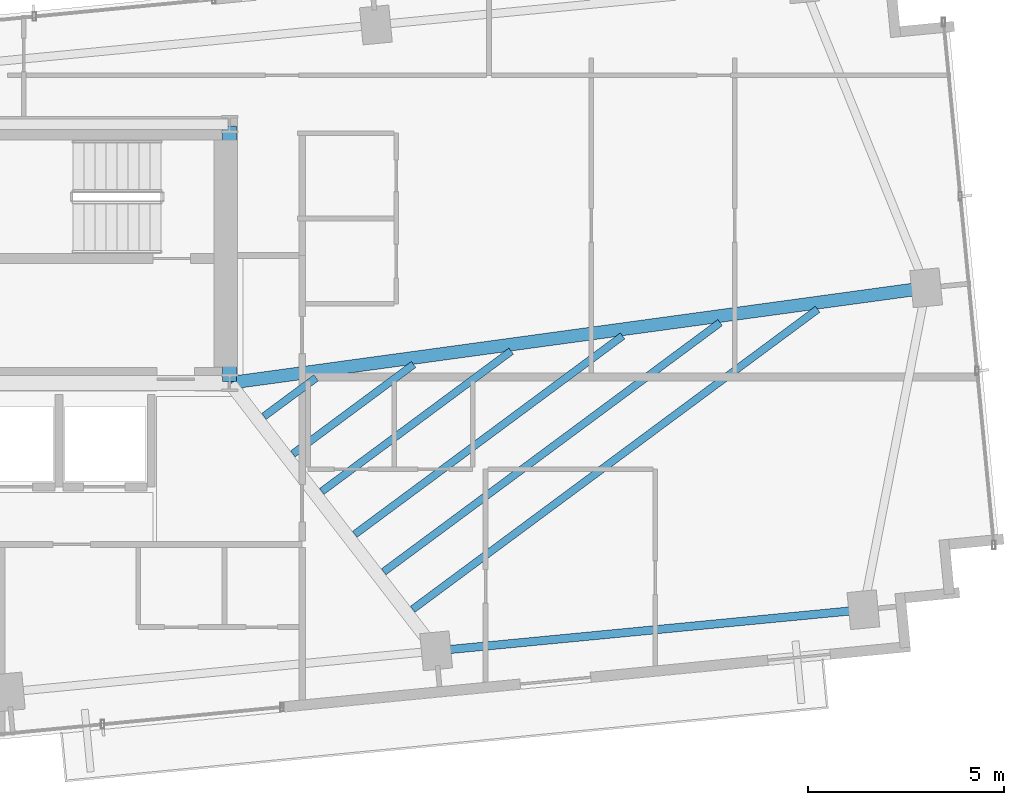
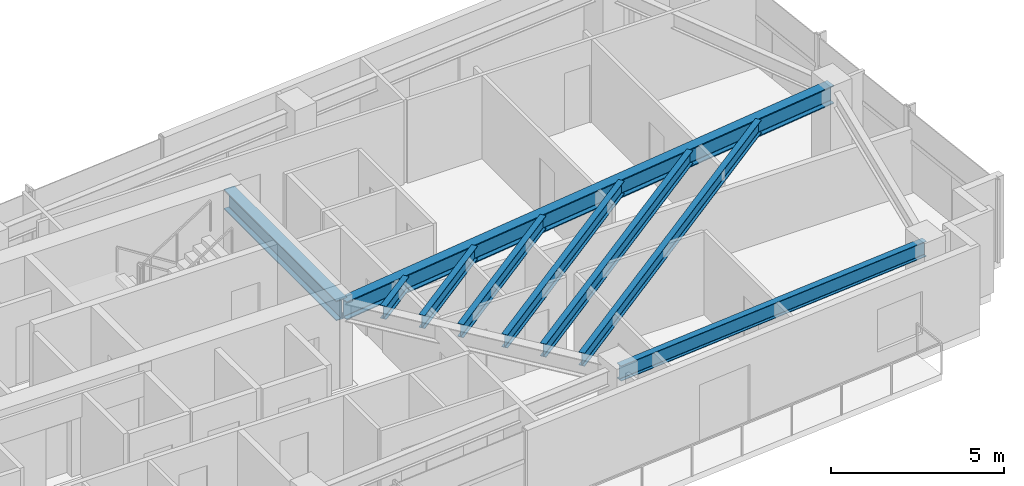
# One storey, part 9 of 18: 9 beams.
"""IFC4 building model written with IfcOpenShell, lengths in metres."""

from ifc_helpers import new_model, si_unit, direction, frame, origin, origin_2d, place, context, subcontext, project, spatial, i_section, extrude, source, transform, mapped, material, material_profile, profile_set, type_object, type_shapes, element, save


model = new_model("IFC4")

# Units and contexts
model_context = context("Model", 3, precision=1e-05, world=origin(), true_north=direction((0.0, 1.0)))
body_context = subcontext(model_context, "Body", "Model", "MODEL_VIEW")
ifc_project = project(units=[si_unit("LENGTHUNIT", "METRE"), si_unit("AREAUNIT", "SQUARE_METRE"), si_unit("VOLUMEUNIT", "CUBIC_METRE"), si_unit("PLANEANGLEUNIT", "RADIAN"), si_unit("MASSUNIT", "GRAM", prefix="KILO")], contexts=[model_context])

# Site, building, storey
site_placement = place(None, origin())
site = spatial("IfcSite", under=ifc_project, at=site_placement, CompositionType="ELEMENT")
building_placement = place(site_placement, origin())
building = spatial("IfcBuilding", under=site, at=building_placement, Name="Astriad Promenade Condominiums", CompositionType="ELEMENT")
storey_placement = place(building_placement, frame((0.0, 0.0, 192.199951171875)))
storey = spatial("IfcBuildingStorey", under=building, at=storey_placement, Name="L55", CompositionType="ELEMENT", Elevation=192.199951171875)

# Beams
ifc_material = material(Name="Steel ASTM A992 Grade 50", Category="steel")
ifc_material_profile_1 = material_profile(ifc_material, i_section(OverallWidth=0.35791015625, OverallDepth=0.706298828125, WebThickness=0.018310546875, FlangeThickness=0.0302734375, FilletRadius=0.020263671875, at=origin_2d()), Name="W27X178")
ifc_profile_set_1 = profile_set([ifc_material_profile_1], Name="Steel ASTM A992 Grade 50")
beam_type_1 = type_object("IfcBeamType", Name="STEEL FLOOR GIRDER W27X178", PredefinedType="BEAM", material=ifc_profile_set_1)
shared_shape_1 = source(origin(), body_context, "Body", "SweptSolid", [
    extrude(i_section(OverallWidth=0.35791015625, OverallDepth=0.706298828125, WebThickness=0.018310546875, FlangeThickness=0.0302734375, FilletRadius=0.020263671875, at=origin_2d()), origin(), (0.0, 0.0, 1.0), 6.52001953125),
])
type_shapes(beam_type_1, [shared_shape_1])
beam_1_placement = place(storey_placement, frame((45.60009765625, 17.43994140625, 2.5869140625), z_axis=(0.0, 1.0, 0.0), x_axis=(-1.0, 0.0, 0.0)))
element("IfcBeam", 1, at=beam_1_placement, inside=storey, type_object=beam_type_1, Name="Core Ring Beam CG-E1-L55", PredefinedType="BEAM", context=body_context, shape_type="MappedRepresentation", body=[
    mapped(shared_shape_1, transform((0.0, 0.0, 0.0), scale=1.0)),
])
ifc_material_profile_2 = material_profile(ifc_material, i_section(OverallWidth=0.210693359375, OverallDepth=0.53955078125, WebThickness=0.01171875, FlangeThickness=0.018798828125, FilletRadius=0.0166015625, at=origin_2d()), Name="W21X73")
ifc_profile_set_2 = profile_set([ifc_material_profile_2], Name="Steel ASTM A992 Grade 50")
beam_type_2 = type_object("IfcBeamType", Name="STEEL SPANDREL BEAM W21X73", PredefinedType="SPANDREL", material=ifc_profile_set_2)
shared_shape_2 = source(origin(), body_context, "Body", "SweptSolid", [
    extrude(i_section(OverallWidth=0.210693359375, OverallDepth=0.53955078125, WebThickness=0.01171875, FlangeThickness=0.018798828125, FilletRadius=0.0166015625, at=origin_2d()), origin(), (0.0, 0.0, 1.0), 10.869873046875),
])
type_shapes(beam_type_2, [shared_shape_2])
beam_2_placement = place(storey_placement, frame((50.908203125, 10.5703125, 2.670166015625), z_axis=(0.995396922692, 0.095838229819, 0.0), x_axis=(-0.095838229819, 0.995396922692, 0.0)))
element("IfcBeam", 2, at=beam_2_placement, inside=storey, type_object=beam_type_2, Name="Perimeter Spandrel Beam SP-S4-L55", PredefinedType="SPANDREL", context=body_context, shape_type="MappedRepresentation", body=[
    mapped(shared_shape_2, transform((0.0, 0.0, 0.0), scale=1.0)),
])
ifc_material_profile_3 = material_profile(ifc_material, i_section(OverallWidth=0.327392578125, OverallDepth=0.640625, WebThickness=0.01904296875, FlangeThickness=0.033935546875, FilletRadius=0.017822265625, at=origin_2d()), Name="W24X176")
ifc_profile_set_3 = profile_set([ifc_material_profile_3], Name="Steel ASTM A992 Grade 50")
beam_type_3 = type_object("IfcBeamType", Name="STEEL FLOOR GIRDER W24X176", PredefinedType="BEAM", material=ifc_profile_set_3)
shared_shape_3 = source(origin(), body_context, "Body", "SweptSolid", [
    extrude(i_section(OverallWidth=0.327392578125, OverallDepth=0.640625, WebThickness=0.01904296875, FlangeThickness=0.033935546875, FilletRadius=0.017822265625, at=origin_2d()), origin(), (0.0, 0.0, 1.0), 17.853271484375),
])
type_shapes(beam_type_3, [shared_shape_3])
beam_3_placement = place(storey_placement, frame((63.32861328125, 19.82177734375, 2.61962890625), z_axis=(-0.990799186345, -0.135340209612, 0.0), x_axis=(0.135340209612, -0.990799186345, 0.0)))
element("IfcBeam", 3, at=beam_3_placement, inside=storey, type_object=beam_type_3, Name="Primary Floor Girder PG-EM-L55", PredefinedType="BEAM", context=body_context, shape_type="MappedRepresentation", body=[
    mapped(shared_shape_3, transform((0.0, 0.0, 0.0), scale=1.0)),
])
ifc_material_profile_4 = material_profile(ifc_material, i_section(OverallWidth=0.19287109375, OverallDepth=0.466064453125, WebThickness=0.011474609375, FlangeThickness=0.01904296875, FilletRadius=0.01513671875, at=origin_2d()), Name="W18X65")
ifc_profile_set_4 = profile_set([ifc_material_profile_4], Name="Steel ASTM A992 Grade 50")
beam_type_4 = type_object("IfcBeamType", Name="STEEL FLOOR JOIST W18X65", PredefinedType="JOIST", material=ifc_profile_set_4)
shared_shape_4 = source(origin(), body_context, "Body", "SweptSolid", [
    extrude(i_section(OverallWidth=0.19287109375, OverallDepth=0.466064453125, WebThickness=0.011474609375, FlangeThickness=0.01904296875, FilletRadius=0.01513671875, at=origin_2d()), origin(), (0.0, 0.0, 1.0), 12.85498046875),
])
beam_4_placement = place(storey_placement, frame((50.27001953125, 11.626220703125, 2.70703125), z_axis=(0.803505042716, 0.595297947526, 0.0), x_axis=(-0.595297947526, 0.803505042716, 0.0)))
element("IfcBeam", 4, at=beam_4_placement, inside=storey, type_object=beam_type_4, Name="Secondary Composite Floor Joist JE1-1-L55", PredefinedType="JOIST", context=body_context, shape_type="MappedRepresentation", body=[
    mapped(shared_shape_4, transform((0.0, 0.0, 0.0), scale=1.0)),
])
shared_shape_5 = source(origin(), body_context, "Body", "SweptSolid", [
    extrude(i_section(OverallWidth=0.19287109375, OverallDepth=0.466064453125, WebThickness=0.011474609375, FlangeThickness=0.01904296875, FilletRadius=0.01513671875, at=origin_2d()), origin(), (0.0, 0.0, 1.0), 10.677001953125),
])
beam_5_placement = place(storey_placement, frame((49.532470703125, 12.5830078125, 2.70703125), z_axis=(0.803509393025, 0.595292075641, 0.0), x_axis=(-0.595292075641, 0.803509393025, 0.0)))
element("IfcBeam", 5, at=beam_5_placement, inside=storey, type_object=beam_type_4, Name="Secondary Composite Floor Joist JE1-2-L55", PredefinedType="JOIST", context=body_context, shape_type="MappedRepresentation", body=[
    mapped(shared_shape_5, transform((0.0, 0.0, 0.0), scale=1.0)),
])
shared_shape_6 = source(origin(), body_context, "Body", "SweptSolid", [
    extrude(i_section(OverallWidth=0.19287109375, OverallDepth=0.466064453125, WebThickness=0.011474609375, FlangeThickness=0.01904296875, FilletRadius=0.01513671875, at=origin_2d()), origin(), (0.0, 0.0, 1.0), 8.4990234375),
])
beam_6_placement = place(storey_placement, frame((48.794921875, 13.539794921875, 2.70703125), z_axis=(0.803515972929, 0.595283194159, 0.0), x_axis=(-0.595283194159, 0.803515972929, 0.0)))
element("IfcBeam", 6, at=beam_6_placement, inside=storey, type_object=beam_type_4, Name="Secondary Composite Floor Joist JE1-3-L55", PredefinedType="JOIST", context=body_context, shape_type="MappedRepresentation", body=[
    mapped(shared_shape_6, transform((0.0, 0.0, 0.0), scale=1.0)),
])
shared_shape_7 = source(origin(), body_context, "Body", "SweptSolid", [
    extrude(i_section(OverallWidth=0.19287109375, OverallDepth=0.466064453125, WebThickness=0.011474609375, FlangeThickness=0.01904296875, FilletRadius=0.01513671875, at=origin_2d()), origin(), (0.0, 0.0, 1.0), 6.01025390625),
])
beam_7_placement = place(storey_placement, frame((47.951904296875, 14.633056640625, 2.70703125), z_axis=(0.803510418138, 0.595290691968, 0.0), x_axis=(-0.595290691968, 0.803510418138, 0.0)))
element("IfcBeam", 7, at=beam_7_placement, inside=storey, type_object=beam_type_4, Name="Secondary Composite Floor Joist JE1-4-L55", PredefinedType="JOIST", context=body_context, shape_type="MappedRepresentation", body=[
    mapped(shared_shape_7, transform((0.0, 0.0, 0.0), scale=1.0)),
])
shared_shape_8 = source(origin(), body_context, "Body", "SweptSolid", [
    extrude(i_section(OverallWidth=0.19287109375, OverallDepth=0.466064453125, WebThickness=0.011474609375, FlangeThickness=0.01904296875, FilletRadius=0.01513671875, at=origin_2d()), origin(), (0.0, 0.0, 1.0), 3.832275390625),
])
beam_8_placement = place(storey_placement, frame((47.21435546875, 15.58984375, 2.70703125), z_axis=(0.803525593062, 0.59527020864, 0.0), x_axis=(-0.59527020864, 0.803525593062, 0.0)))
element("IfcBeam", 8, at=beam_8_placement, inside=storey, type_object=beam_type_4, Name="Secondary Composite Floor Joist JE1-5-L55", PredefinedType="JOIST", context=body_context, shape_type="MappedRepresentation", body=[
    mapped(shared_shape_8, transform((0.0, 0.0, 0.0), scale=1.0)),
])
shared_shape_9 = source(origin(), body_context, "Body", "SweptSolid", [
    extrude(i_section(OverallWidth=0.19287109375, OverallDepth=0.466064453125, WebThickness=0.011474609375, FlangeThickness=0.01904296875, FilletRadius=0.01513671875, at=origin_2d()), origin(), (0.0, 0.0, 1.0), 1.654541015625),
])
type_shapes(beam_type_4, [shared_shape_4, shared_shape_5, shared_shape_6, shared_shape_7, shared_shape_8, shared_shape_9])
beam_9_placement = place(storey_placement, frame((46.476806640625, 16.54638671875, 2.70703125), z_axis=(0.803510136239, 0.595291072468, 0.0), x_axis=(-0.595291072468, 0.803510136239, 0.0)))
element("IfcBeam", 9, at=beam_9_placement, inside=storey, type_object=beam_type_4, Name="Secondary Composite Floor Joist JE1-6-L55", PredefinedType="JOIST", context=body_context, shape_type="MappedRepresentation", body=[
    mapped(shared_shape_9, transform((0.0, 0.0, 0.0), scale=1.0)),
])

save(model, "model.ifc")
